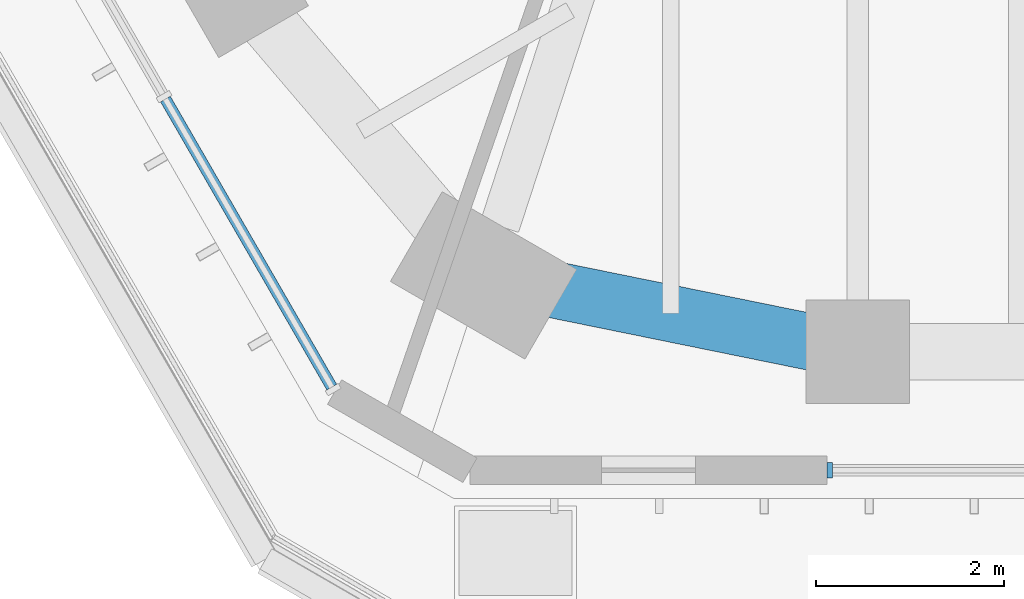
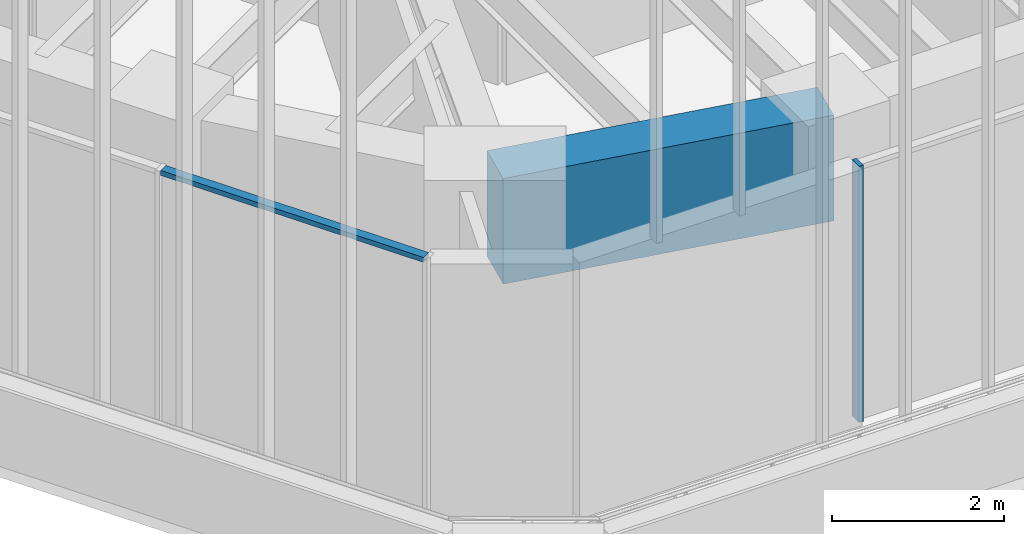
# One storey, part 9 of 127: 2 members, 1 beam, 2 elements without a shape of their own.
"""IFC4 building model written with IfcOpenShell, lengths in metres."""

import ifcopenshell
import ifcopenshell.guid

model = None  # the IFC model being written
_history = None  # IfcOwnerHistory: only IFC2X3 demands one
_inside = {}  # id of a spatial element -> (the spatial element, [elements in it])
_under = {}  # id of a project, library or spatial element -> (it, [spatial elements below it])
_declared = {}  # id of a project -> (the project, [libraries it declares])
_typed = {}  # id of a type object -> (the type object, [elements of that type])
_made_of = {}  # id of a material, layer set ... -> (it, [elements and type objects made of it])


def new_model(schema):
    """Start an empty IFC model of exactly this schema.

    Asked for "IFC4X3", IfcOpenShell would pick the latest addendum, in which some entities
    have other attributes; the version numbers below select the first issue.
    IFC2X3 requires an IfcOwnerHistory on every rooted entity: one is made here for all.
    """
    global model, _history
    if schema == "IFC4X3":
        model = ifcopenshell.file(schema_version=(4, 3, 0, 0))
    else:
        model = ifcopenshell.file(schema=schema)
    _inside.clear()
    _under.clear()
    _declared.clear()
    _typed.clear()
    _made_of.clear()
    _history = None
    if model.schema == "IFC2X3":
        org = make("IfcOrganization", Name="unknown")
        user = make(
            "IfcPersonAndOrganization",
            ThePerson=make("IfcPerson", FamilyName="unknown"),
            TheOrganization=org,
        )
        app = make(
            "IfcApplication",
            ApplicationDeveloper=org,
            Version="unknown",
            ApplicationFullName="unknown",
            ApplicationIdentifier="unknown",
        )
        _history = make(
            "IfcOwnerHistory",
            OwningUser=user,
            OwningApplication=app,
            ChangeAction="ADDED",
            CreationDate=0,
        )
    return model


def make(cls, **values):
    """One entity of the class cls with the attributes given. An attribute that is None is left unset."""
    return model.create_entity(
        cls, **{name: value for name, value in values.items() if value is not None}
    )


def rooted(cls, **values):
    """An entity with a GlobalId (a new one), such as an element, a storey or a relation."""
    return make(cls, GlobalId=ifcopenshell.guid.new(), OwnerHistory=_history, **values)


def si_unit(unit_type, name, prefix=None):
    """IfcSIUnit, for example si_unit("LENGTHUNIT", "METRE", prefix="MILLI")."""
    return make("IfcSIUnit", UnitType=unit_type, Prefix=prefix, Name=name)


def assignment(units):
    """IfcUnitAssignment: the units of a project."""
    return None if units is None else make("IfcUnitAssignment", Units=units)


def point(xyz):
    """IfcCartesianPoint."""
    return None if xyz is None else make("IfcCartesianPoint", Coordinates=xyz)


def direction(xyz):
    """IfcDirection."""
    return None if xyz is None else make("IfcDirection", DirectionRatios=xyz)


def frame(location, z_axis=None, x_axis=None):
    """IfcAxis2Placement3D, a coordinate frame: its origin and axes. An axis left out is left unset."""
    return make(
        "IfcAxis2Placement3D",
        Location=point(location),
        Axis=direction(z_axis),
        RefDirection=direction(x_axis),
    )


def frame_2d(location, x_axis=None):
    """IfcAxis2Placement2D, a coordinate frame in the plane: its origin and x axis."""
    return make(
        "IfcAxis2Placement2D", Location=point(location), RefDirection=direction(x_axis)
    )


def origin():
    """The frame at (0, 0, 0) with its axes left unset."""
    return frame((0.0, 0.0, 0.0))


def origin_2d():
    """The frame at (0, 0) in the plane with its x axis left unset."""
    return frame_2d((0.0, 0.0))


def place(relative_to, where):
    """IfcLocalPlacement: puts the frame where relative to a parent placement (None: the world)."""
    return make(
        "IfcLocalPlacement", PlacementRelTo=relative_to, RelativePlacement=where
    )


def context(
    kind, dimensions, precision=None, world=None, true_north=None, identifier=None
):
    """IfcGeometricRepresentationContext, for example the 3D "Model" context."""
    return make(
        "IfcGeometricRepresentationContext",
        ContextIdentifier=identifier,
        ContextType=kind,
        CoordinateSpaceDimension=dimensions,
        Precision=precision,
        WorldCoordinateSystem=world,
        TrueNorth=true_north,
    )


def subcontext(parent, identifier, kind, view, scale=None):
    """IfcGeometricRepresentationSubContext, for example "Body" below "Model"."""
    return make(
        "IfcGeometricRepresentationSubContext",
        ContextIdentifier=identifier,
        ContextType=kind,
        ParentContext=parent,
        TargetScale=scale,
        TargetView=view,
    )


def project(units=None, contexts=None):
    """IfcProject with its units and contexts."""
    return rooted(
        "IfcProject",
        Name="project",
        RepresentationContexts=contexts,
        UnitsInContext=assignment(units),
    )


def spatial(cls, under=None, at=None, **own):
    """A site, building, storey or space (cls), placed at a placement, below another one or the project."""
    s = rooted(cls, ObjectPlacement=at, **own)
    if under is not None:
        _under.setdefault(under.id(), (under, []))[1].append(s)
    return s


def profile(cls, at=None, kind="AREA", **sizes):
    """A parametric profile (cls). Its sizes go by their IFC names, for example OverallWidth=200.0."""
    return make(cls, ProfileType=kind, Position=at, **sizes)


def rectangle(**sizes):
    """IfcRectangleProfileDef."""
    return profile("IfcRectangleProfileDef", **sizes)


def extrude(swept, where, along, depth):
    """IfcExtrudedAreaSolid: the profile swept, set in the frame where, extruded along a direction by depth."""
    return make(
        "IfcExtrudedAreaSolid",
        SweptArea=swept,
        Position=where,
        ExtrudedDirection=direction(along),
        Depth=depth,
    )


def shape(context_of_items, identifier, shape_type, items):
    """IfcShapeRepresentation: the items that make up one representation, for example the "Body"."""
    return make(
        "IfcShapeRepresentation",
        ContextOfItems=context_of_items,
        RepresentationIdentifier=identifier,
        RepresentationType=shape_type,
        Items=items,
    )


def material(Name=None, Category=None):
    """IfcMaterial."""
    return make("IfcMaterial", Name=Name, Category=Category)


def material_profile(
    of_material, cross_section, Name=None, Category=None, Priority=None
):
    """IfcMaterialProfile: a cross section and its material."""
    return make(
        "IfcMaterialProfile",
        Name=Name,
        Material=of_material,
        Profile=cross_section,
        Priority=Priority,
        Category=Category,
    )


def profile_set(profiles, Name=None, composite=None):
    """IfcMaterialProfileSet."""
    return make(
        "IfcMaterialProfileSet",
        Name=Name,
        MaterialProfiles=profiles,
        CompositeProfile=composite,
    )


def made_of(thing, what):
    """Note that an element or type object is made of a material, layer set ...; save() writes the relation."""
    if what is not None:
        _made_of.setdefault(what.id(), (what, []))[1].append(thing)
    return thing


def type_object(cls, material=None, **own):
    """A type object (cls), such as IfcWallType, which elements share."""
    return made_of(rooted(cls, **own), material)


def element(
    cls,
    number,
    at=None,
    inside=None,
    cuts=None,
    type_object=None,
    material=None,
    context=None,
    identifier="Body",
    shape_type=None,
    held_by="IfcProductDefinitionShape",
    body=None,
    shapes=None,
    **own,
):
    """One element of the class cls, such as IfcWall. Its Tag is "e" and its number.

    at: its placement. inside: the storey or other place that contains it. cuts: it is an
    opening in that element (IfcRelVoidsElement). A single representation is given by context,
    identifier, shape_type and body (its items); several are given by shapes. held_by: the class
    of the entity that holds the representations. save() writes the other relations.
    """
    e = rooted(cls, Tag="e%d" % number, ObjectPlacement=at, **own)
    if body is not None:
        shapes = [shape(context, identifier, shape_type, body)]
    if shapes is not None:
        e.Representation = make(held_by, Representations=shapes)
    if inside is not None:
        _inside.setdefault(inside.id(), (inside, []))[1].append(e)
    if cuts is not None:
        rooted(
            "IfcRelVoidsElement", RelatingBuildingElement=cuts, RelatedOpeningElement=e
        )
    if type_object is not None:
        _typed.setdefault(type_object.id(), (type_object, []))[1].append(e)
    return made_of(e, material)


def aggregate(whole, parts):
    """IfcRelAggregates: a whole, such as a stair, and the parts it consists of."""
    return rooted("IfcRelAggregates", RelatingObject=whole, RelatedObjects=parts)


def save(model, path):
    """Write the relations noted so far, then the file.

    IfcRelAggregates (storeys below a building ...), IfcRelContainedInSpatialStructure (elements
    in a storey), IfcRelDefinesByType, IfcRelAssociatesMaterial and IfcRelDeclares: one each for
    every whole, place, type object, material and project.
    """
    for whole, parts in _under.values():
        aggregate(whole, parts)
    for where, things in _inside.values():
        rooted(
            "IfcRelContainedInSpatialStructure",
            RelatedElements=things,
            RelatingStructure=where,
        )
    for kind, things in _typed.values():
        rooted("IfcRelDefinesByType", RelatedObjects=things, RelatingType=kind)
    for what, things in _made_of.values():
        rooted("IfcRelAssociatesMaterial", RelatedObjects=things, RelatingMaterial=what)
    for by, libraries in _declared.values():
        rooted("IfcRelDeclares", RelatingContext=by, RelatedDefinitions=libraries)
    model.write(path)


model = new_model("IFC4")

# Units and contexts
model_context = context("Model", 3, precision=1e-05, world=origin(), true_north=direction((0.0, 1.0)))
body_context = subcontext(model_context, "Body", "Model", "MODEL_VIEW")
ifc_project = project(units=[si_unit("LENGTHUNIT", "METRE"), si_unit("AREAUNIT", "SQUARE_METRE"), si_unit("VOLUMEUNIT", "CUBIC_METRE"), si_unit("PLANEANGLEUNIT", "RADIAN"), si_unit("MASSUNIT", "GRAM", prefix="KILO")], contexts=[model_context])

# Site, building, storey
site_placement = place(None, origin())
site = spatial("IfcSite", under=ifc_project, at=site_placement, CompositionType="ELEMENT")
building_placement = place(site_placement, origin())
building = spatial("IfcBuilding", under=site, at=building_placement, Name="Sandreach Pilgrim Tower", CompositionType="ELEMENT")
storey_placement = place(building_placement, frame((0.0, 0.0, 257.0)))
storey = spatial("IfcBuildingStorey", under=building, at=storey_placement, Name="L64", CompositionType="ELEMENT", Elevation=257.0)

# Curtain wall, member
ifc_material_1 = material(Name="Aluminium framed curtain wall", Category="aluminium")
curtain_wall_type = type_object("IfcCurtainWallType", Name="Suite tower curtain wall", PredefinedType="NOTDEFINED", material=ifc_material_1)
curtain_wall_1_placement = place(storey_placement, origin())
curtain_wall_1 = element("IfcCurtainWall", 1, at=curtain_wall_1_placement, inside=storey, type_object=curtain_wall_type, Name="CW-4 L64 SA", PredefinedType="NOTDEFINED")
ifc_material_2 = material(Name="Aluminium extrusion", Category="aluminium")
ifc_material_profile_1 = material_profile(ifc_material_2, rectangle(XDim=0.06005859375, YDim=0.159912109375, at=origin_2d()), Name="CW-4M 60X160")
ifc_profile_set_1 = profile_set([ifc_material_profile_1], Name="Aluminium extrusion")
member_type_1 = type_object("IfcMemberType", Name="CW-4 mullion", PredefinedType="MULLION", material=ifc_profile_set_1)
member_1_placement = place(storey_placement, frame((-3.76171875, -24.858154296875, 0.0), z_axis=(0.0, 0.0, 1.0), x_axis=(-1.0, 0.0, 0.0)))
member_1 = element("IfcMember", 2, at=member_1_placement, type_object=member_type_1, Name="CW-4 mullion 4", PredefinedType="MULLION", context=body_context, shape_type="SweptSolid", body=[
    extrude(rectangle(XDim=0.06005859375, YDim=0.159912109375, at=origin_2d()), origin(), (0.0, 0.0, 1.0), 3.639892578125),
])
aggregate(curtain_wall_1, [member_1])

curtain_wall_2_placement = place(storey_placement, origin())
curtain_wall_2 = element("IfcCurtainWall", 3, at=curtain_wall_2_placement, inside=storey, type_object=curtain_wall_type, Name="CW-4 L64 SW", PredefinedType="NOTDEFINED")
ifc_material_3 = material(Name="Aluminium extrusion", Category="aluminium")
ifc_material_profile_2 = material_profile(ifc_material_3, rectangle(XDim=0.1201171875, YDim=0.070068359375, at=origin_2d()), Name="CW-4T 120X70")
ifc_profile_set_2 = profile_set([ifc_material_profile_2], Name="Aluminium extrusion")
member_type_2 = type_object("IfcMemberType", Name="CW-4 transom", PredefinedType="USERDEFINED", material=ifc_profile_set_2)
member_2_placement = place(storey_placement, frame((-9.051025390625, -23.97607421875, 3.60498046875), z_axis=(-0.499997709859, 0.866026725994, 0.0), x_axis=(-0.866026725994, -0.499997709859, 0.0)))
member_2 = element("IfcMember", 4, at=member_2_placement, type_object=member_type_2, Name="CW-4 head transom 1", ObjectType="TRANSOM", PredefinedType="USERDEFINED", context=body_context, shape_type="SweptSolid", body=[
    extrude(rectangle(XDim=0.1201171875, YDim=0.070068359375, at=origin_2d()), origin(), (0.0, 0.0, 1.0), 3.53173828125),
])
aggregate(curtain_wall_2, [member_2])

# Beam
ifc_material_4 = material(Name="Concrete 10000 psi", Category="concrete")
ifc_material_profile_3 = material_profile(ifc_material_4, rectangle(XDim=0.60009765625, YDim=1.5, at=origin_2d()), Name="RC600X1500")
ifc_profile_set_3 = profile_set([ifc_material_profile_3], Name="Concrete 10000 psi")
beam_type = type_object("IfcBeamType", Name="Spandrel beam RC600X1500", PredefinedType="SPANDREL", material=ifc_profile_set_3)
beam_placement = place(storey_placement, frame((-3.465576171875, -23.59814453125, 2.889892578125), z_axis=(-0.979917524616, 0.199403222016, 0.0), x_axis=(-0.199403222016, -0.979917524616, 0.0)))
element("IfcBeam", 5, at=beam_placement, inside=storey, type_object=beam_type, Name="BM L64 SP25", PredefinedType="SPANDREL", context=body_context, shape_type="SweptSolid", body=[
    extrude(rectangle(XDim=0.60009765625, YDim=1.5, at=origin_2d()), origin(), (0.0, 0.0, 1.0), 4.05517578125),
])

save(model, "model.ifc")
